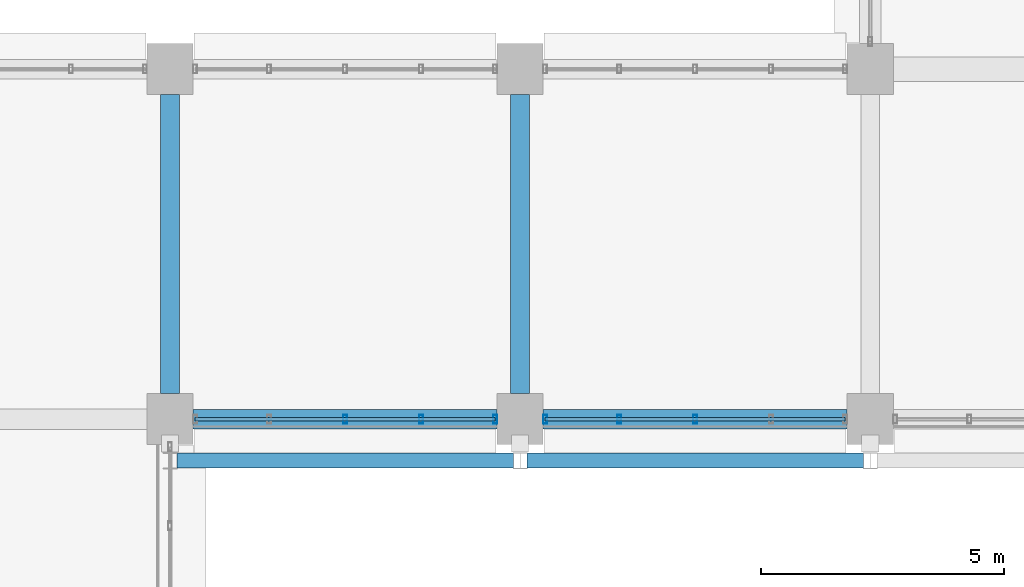
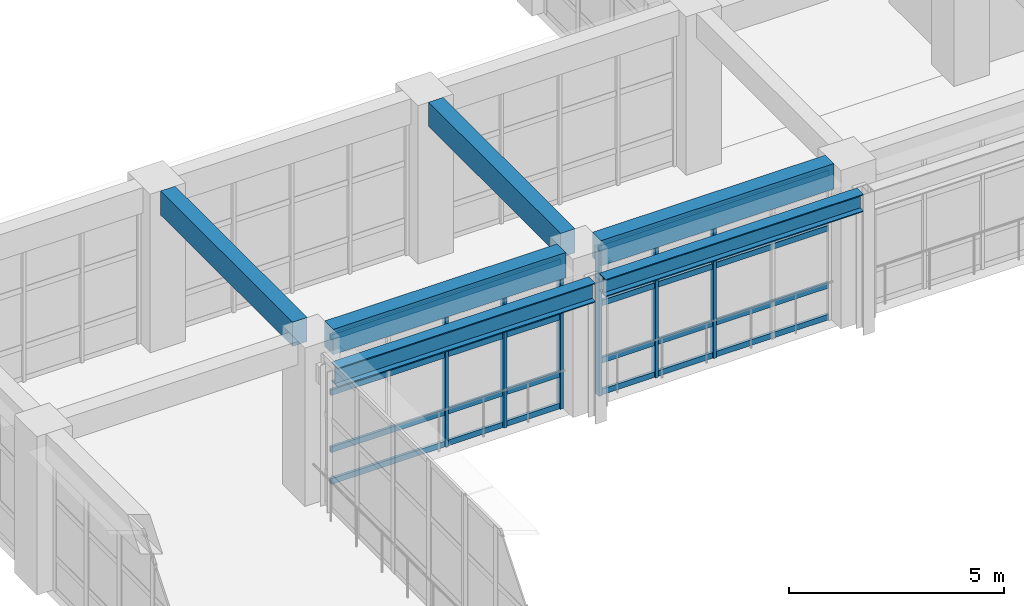
# One storey, part 45 of 171: 14 members, 6 beams, 2 elements without a shape of their own.
"""IFC4 building model written with IfcOpenShell, lengths in metres."""

from ifc_helpers import new_model, si_unit, direction, frame, origin, origin_2d, place, context, subcontext, project, spatial, rectangle, hollow_rectangle, i_section, extrude, material, material_profile, profile_set, type_object, element, aggregate, save


model = new_model("IFC4")

# Units and contexts
model_context = context("Model", 3, precision=1e-05, world=origin(), true_north=direction((0.0, 1.0)))
body_context = subcontext(model_context, "Body", "Model", "MODEL_VIEW")
ifc_project = project(units=[si_unit("LENGTHUNIT", "METRE"), si_unit("AREAUNIT", "SQUARE_METRE"), si_unit("VOLUMEUNIT", "CUBIC_METRE"), si_unit("PLANEANGLEUNIT", "RADIAN"), si_unit("MASSUNIT", "GRAM", prefix="KILO")], contexts=[model_context])

# Site, building, storey
site_placement = place(None, origin())
site = spatial("IfcSite", under=ifc_project, at=site_placement, CompositionType="ELEMENT")
building_placement = place(site_placement, origin())
building = spatial("IfcBuilding", under=site, at=building_placement, Name="Thalmaran Polytechnic", CompositionType="ELEMENT")
storey_placement = place(building_placement, frame((0.0, 0.0, 5.39990234375)))
storey = spatial("IfcBuildingStorey", under=building, at=storey_placement, Name="L01", CompositionType="ELEMENT", Elevation=5.39990234375)

# Beams
ifc_material_1 = material(Name="Steel S355", Category="steel")
ifc_material_profile_1 = material_profile(ifc_material_1, i_section(OverallWidth=0.300048828125, OverallDepth=0.550048828125, WebThickness=0.014892578125, FlangeThickness=0.029052734375, at=origin_2d()), Name="HEB 550")
ifc_profile_set_1 = profile_set([ifc_material_profile_1], Name="Steel S355")
beam_type_1 = type_object("IfcBeamType", Name="BM-CRN1", PredefinedType="BEAM", material=ifc_profile_set_1)
beam_1_placement = place(storey_placement, frame((115.340087890625, 49.550048828125, 3.72509765625), z_axis=(1.0, 0.0, 0.0), x_axis=(0.0, 1.0, 0.0)))
element("IfcBeam", 1, at=beam_1_placement, inside=storey, type_object=beam_type_1, Name="Workshop Crane Runway Beam Y7-16", PredefinedType="BEAM", context=body_context, shape_type="SweptSolid", body=[
    extrude(i_section(OverallWidth=0.300048828125, OverallDepth=0.550048828125, WebThickness=0.014892578125, FlangeThickness=0.029052734375, at=origin_2d()), origin(), (0.0, 0.0, 1.0), 6.919921875),
])
ifc_material_profile_2 = material_profile(ifc_material_1, i_section(OverallWidth=0.300048828125, OverallDepth=0.5, WebThickness=0.014404296875, FlangeThickness=0.028076171875, at=origin_2d()), Name="HEB 500")
ifc_profile_set_2 = profile_set([ifc_material_profile_2], Name="Steel S355")
beam_type_2 = type_object("IfcBeamType", Name="BM-CRN2", PredefinedType="BEAM", material=ifc_profile_set_2)
beam_2_placement = place(storey_placement, frame((122.5400390625, 49.550048828125, 3.75), z_axis=(1.0, 0.0, 0.0), x_axis=(0.0, 1.0, 0.0)))
element("IfcBeam", 2, at=beam_2_placement, inside=storey, type_object=beam_type_2, Name="Workshop Crane Runway Beam Y7-17", PredefinedType="BEAM", context=body_context, shape_type="SweptSolid", body=[
    extrude(i_section(OverallWidth=0.300048828125, OverallDepth=0.5, WebThickness=0.014404296875, FlangeThickness=0.028076171875, at=origin_2d()), origin(), (0.0, 0.0, 1.0), 6.919921875),
])
ifc_material_2 = material(Name="Concrete C40/50", Category="concrete")
ifc_material_profile_3 = material_profile(ifc_material_2, rectangle(XDim=0.389892578125, YDim=0.68505859375, at=origin_2d()), Name="RC 390x685")
ifc_profile_set_3 = profile_set([ifc_material_profile_3], Name="Concrete C40/50")
beam_type_3 = type_object("IfcBeamType", Name="BM-RC08", PredefinedType="BEAM", material=ifc_profile_set_3)
for number, where, z_axis, x_axis, name in (
    (3, (115.199951171875, 50.925048828125, 4.15771484375), (0.0, 1.0, 0.0), (-1.0, 0.0, 0.0), "Grid Beam B08 L01 Y(16,7)"),
    (4, (122.39990234375, 50.925048828125, 4.15771484375), (0.0, 1.0, 0.0), (-1.0, 0.0, 0.0), "Grid Beam B08 L01 Y(17,7)"),
):
    element("IfcBeam", number, at=place(storey_placement, frame(where, z_axis=z_axis, x_axis=x_axis)), inside=storey, type_object=beam_type_3, Name=name, PredefinedType="BEAM", context=body_context, shape_type="SweptSolid", body=[
        extrude(rectangle(XDim=0.389892578125, YDim=0.68505859375, at=origin_2d()), origin(), (0.0, 0.0, 1.0), 6.14990234375),
    ])
ifc_material_profile_4 = material_profile(ifc_material_2, rectangle(XDim=0.39990234375, YDim=0.719970703125, at=origin_2d()), Name="RC 400x720")
ifc_profile_set_4 = profile_set([ifc_material_profile_4], Name="Concrete C40/50")
beam_type_4 = type_object("IfcBeamType", Name="BM-SP01", PredefinedType="SPANDREL", material=ifc_profile_set_4)
for number, where, z_axis, x_axis, name in (
    (5, (115.675048828125, 50.39990234375, 4.14013671875), (1.0, 0.0, 0.0), (0.0, 1.0, 0.0), "Grid Beam SP01 L01 X(16,7)"),
    (6, (122.875, 50.39990234375, 4.14013671875), (1.0, 0.0, 0.0), (0.0, 1.0, 0.0), "Grid Beam SP01 L01 X(17,7)"),
):
    element("IfcBeam", number, at=place(storey_placement, frame(where, z_axis=z_axis, x_axis=x_axis)), inside=storey, type_object=beam_type_4, Name=name, PredefinedType="SPANDREL", context=body_context, shape_type="SweptSolid", body=[
        extrude(rectangle(XDim=0.39990234375, YDim=0.719970703125, at=origin_2d()), origin(), (0.0, 0.0, 1.0), 6.25),
    ])

# Curtain wall, members
ifc_material_3 = material(Name="Aluminium 6063-T6", Category="aluminium")
curtain_wall_type = type_object("IfcCurtainWallType", Name="CW-UC02", PredefinedType="USERDEFINED", material=ifc_material_3)
curtain_wall_1_placement = place(storey_placement, origin())
curtain_wall_1 = element("IfcCurtainWall", 7, at=curtain_wall_1_placement, inside=storey, type_object=curtain_wall_type, Name="Curtain Wall CW-L01-103", ObjectType="UNITISED CURTAIN WALL", PredefinedType="USERDEFINED")
ifc_material_profile_5 = material_profile(ifc_material_3, hollow_rectangle(XDim=0.080078125, YDim=0.179931640625, WallThickness=0.0048828125, at=origin_2d()), Name="RHS 180x80x5.0")
ifc_profile_set_5 = profile_set([ifc_material_profile_5], Name="Aluminium 6063-T6")
member_type_1 = type_object("IfcMemberType", Name="CW-MUL1", PredefinedType="MULLION", material=ifc_profile_set_5)
member_1_placement = place(storey_placement, frame((126.0, 50.39990234375, 0.0), z_axis=(0.0, 0.0, 1.0), x_axis=(1.0, 0.0, 0.0)))
member_1 = element("IfcMember", 8, at=member_1_placement, type_object=member_type_1, Name="CW-L01-103 Mullion 3", PredefinedType="MULLION", context=body_context, shape_type="SweptSolid", body=[
    extrude(hollow_rectangle(XDim=0.080078125, YDim=0.179931640625, WallThickness=0.0048828125, at=origin_2d()), origin(), (0.0, 0.0, 1.0), 4.210205078125),
])
member_2_placement = place(storey_placement, frame((124.4375, 50.39990234375, 0.0), z_axis=(0.0, 0.0, 1.0), x_axis=(1.0, 0.0, 0.0)))
member_2 = element("IfcMember", 9, at=member_2_placement, type_object=member_type_1, Name="CW-L01-103 Mullion 4", PredefinedType="MULLION", context=body_context, shape_type="SweptSolid", body=[
    extrude(hollow_rectangle(XDim=0.080078125, YDim=0.179931640625, WallThickness=0.0048828125, at=origin_2d()), origin(), (0.0, 0.0, 1.0), 4.210205078125),
])
member_3_placement = place(storey_placement, frame((122.9150390625, 50.39990234375, 0.0), z_axis=(0.0, 0.0, 1.0), x_axis=(1.0, 0.0, 0.0)))
member_3 = element("IfcMember", 10, at=member_3_placement, type_object=member_type_1, Name="CW-L01-103 Mullion 5", PredefinedType="MULLION", context=body_context, shape_type="SweptSolid", body=[
    extrude(hollow_rectangle(XDim=0.080078125, YDim=0.179931640625, WallThickness=0.0048828125, at=origin_2d()), origin(), (0.0, 0.0, 1.0), 4.210205078125),
])

curtain_wall_2_placement = place(storey_placement, origin())
curtain_wall_2 = element("IfcCurtainWall", 11, at=curtain_wall_2_placement, inside=storey, type_object=curtain_wall_type, Name="Curtain Wall CW-L01-104", ObjectType="UNITISED CURTAIN WALL", PredefinedType="USERDEFINED")
member_4_placement = place(storey_placement, frame((121.885009765625, 50.39990234375, 0.0), z_axis=(0.0, 0.0, 1.0), x_axis=(1.0, 0.0, 0.0)))
member_4 = element("IfcMember", 12, at=member_4_placement, type_object=member_type_1, Name="CW-L01-104 Mullion 1", PredefinedType="MULLION", context=body_context, shape_type="SweptSolid", body=[
    extrude(hollow_rectangle(XDim=0.080078125, YDim=0.179931640625, WallThickness=0.0048828125, at=origin_2d()), origin(), (0.0, 0.0, 1.0), 4.210205078125),
])
member_5_placement = place(storey_placement, frame((120.362548828125, 50.39990234375, 0.0), z_axis=(0.0, 0.0, 1.0), x_axis=(1.0, 0.0, 0.0)))
member_5 = element("IfcMember", 13, at=member_5_placement, type_object=member_type_1, Name="CW-L01-104 Mullion 2", PredefinedType="MULLION", context=body_context, shape_type="SweptSolid", body=[
    extrude(hollow_rectangle(XDim=0.080078125, YDim=0.179931640625, WallThickness=0.0048828125, at=origin_2d()), origin(), (0.0, 0.0, 1.0), 4.210205078125),
])
member_6_placement = place(storey_placement, frame((118.800048828125, 50.39990234375, 0.0), z_axis=(0.0, 0.0, 1.0), x_axis=(1.0, 0.0, 0.0)))
member_6 = element("IfcMember", 14, at=member_6_placement, type_object=member_type_1, Name="CW-L01-104 Mullion 3", PredefinedType="MULLION", context=body_context, shape_type="SweptSolid", body=[
    extrude(hollow_rectangle(XDim=0.080078125, YDim=0.179931640625, WallThickness=0.0048828125, at=origin_2d()), origin(), (0.0, 0.0, 1.0), 4.210205078125),
])

# Member
ifc_material_profile_6 = material_profile(ifc_material_3, hollow_rectangle(XDim=0.070068359375, YDim=0.159912109375, WallThickness=0.00390625, at=origin_2d()), Name="AL 160x70x4.0")
ifc_profile_set_6 = profile_set([ifc_material_profile_6], Name="Aluminium 6063-T6")
member_type_2 = type_object("IfcMemberType", Name="CW-TRN1", PredefinedType="USERDEFINED", material=ifc_profile_set_6)
member_7_placement = place(storey_placement, frame((129.0849609375, 50.39990234375, 0.06005859375), z_axis=(-1.0, 0.0, 0.0), x_axis=(0.0, -1.0, 0.0)))
member_7 = element("IfcMember", 15, at=member_7_placement, type_object=member_type_2, Name="CW-L01-103 Transom 1", ObjectType="TRANSOM", PredefinedType="USERDEFINED", context=body_context, shape_type="SweptSolid", body=[
    extrude(hollow_rectangle(XDim=0.070068359375, YDim=0.159912109375, WallThickness=0.00390625, at=origin_2d()), origin(), (0.0, 0.0, 1.0), 6.169921875),
])

member_8_placement = place(storey_placement, frame((129.0849609375, 50.39990234375, 0.960205078125), z_axis=(-1.0, 0.0, 0.0), x_axis=(0.0, -1.0, 0.0)))
member_8 = element("IfcMember", 16, at=member_8_placement, type_object=member_type_2, Name="CW-L01-103 Transom 2", ObjectType="TRANSOM", PredefinedType="USERDEFINED", context=body_context, shape_type="SweptSolid", body=[
    extrude(hollow_rectangle(XDim=0.070068359375, YDim=0.159912109375, WallThickness=0.00390625, at=origin_2d()), origin(), (0.0, 0.0, 1.0), 6.169921875),
])

member_9_placement = place(storey_placement, frame((129.0849609375, 50.39990234375, 2.585205078125), z_axis=(-1.0, 0.0, 0.0), x_axis=(0.0, -1.0, 0.0)))
member_9 = element("IfcMember", 17, at=member_9_placement, type_object=member_type_2, Name="CW-L01-103 Transom 3", ObjectType="TRANSOM", PredefinedType="USERDEFINED", context=body_context, shape_type="SweptSolid", body=[
    extrude(hollow_rectangle(XDim=0.070068359375, YDim=0.159912109375, WallThickness=0.00390625, at=origin_2d()), origin(), (0.0, 0.0, 1.0), 6.169921875),
])

member_10_placement = place(storey_placement, frame((129.0849609375, 50.39990234375, 4.150146484375), z_axis=(-1.0, 0.0, 0.0), x_axis=(0.0, -1.0, 0.0)))
member_10 = element("IfcMember", 18, at=member_10_placement, type_object=member_type_2, Name="CW-L01-103 Transom 4", ObjectType="TRANSOM", PredefinedType="USERDEFINED", context=body_context, shape_type="SweptSolid", body=[
    extrude(hollow_rectangle(XDim=0.070068359375, YDim=0.159912109375, WallThickness=0.00390625, at=origin_2d()), origin(), (0.0, 0.0, 1.0), 6.169921875),
])

aggregate(curtain_wall_1, [member_1, member_2, member_3, member_7, member_8, member_9, member_10])

member_11_placement = place(storey_placement, frame((121.885009765625, 50.39990234375, 0.06005859375), z_axis=(-1.0, 0.0, 0.0), x_axis=(0.0, -1.0, 0.0)))
member_11 = element("IfcMember", 19, at=member_11_placement, type_object=member_type_2, Name="CW-L01-104 Transom 1", ObjectType="TRANSOM", PredefinedType="USERDEFINED", context=body_context, shape_type="SweptSolid", body=[
    extrude(hollow_rectangle(XDim=0.070068359375, YDim=0.159912109375, WallThickness=0.00390625, at=origin_2d()), origin(), (0.0, 0.0, 1.0), 6.169921875),
])

member_12_placement = place(storey_placement, frame((121.885009765625, 50.39990234375, 0.960205078125), z_axis=(-1.0, 0.0, 0.0), x_axis=(0.0, -1.0, 0.0)))
member_12 = element("IfcMember", 20, at=member_12_placement, type_object=member_type_2, Name="CW-L01-104 Transom 2", ObjectType="TRANSOM", PredefinedType="USERDEFINED", context=body_context, shape_type="SweptSolid", body=[
    extrude(hollow_rectangle(XDim=0.070068359375, YDim=0.159912109375, WallThickness=0.00390625, at=origin_2d()), origin(), (0.0, 0.0, 1.0), 6.169921875),
])

member_13_placement = place(storey_placement, frame((121.885009765625, 50.39990234375, 2.585205078125), z_axis=(-1.0, 0.0, 0.0), x_axis=(0.0, -1.0, 0.0)))
member_13 = element("IfcMember", 21, at=member_13_placement, type_object=member_type_2, Name="CW-L01-104 Transom 3", ObjectType="TRANSOM", PredefinedType="USERDEFINED", context=body_context, shape_type="SweptSolid", body=[
    extrude(hollow_rectangle(XDim=0.070068359375, YDim=0.159912109375, WallThickness=0.00390625, at=origin_2d()), origin(), (0.0, 0.0, 1.0), 6.169921875),
])

member_14_placement = place(storey_placement, frame((121.885009765625, 50.39990234375, 4.150146484375), z_axis=(-1.0, 0.0, 0.0), x_axis=(0.0, -1.0, 0.0)))
member_14 = element("IfcMember", 22, at=member_14_placement, type_object=member_type_2, Name="CW-L01-104 Transom 4", ObjectType="TRANSOM", PredefinedType="USERDEFINED", context=body_context, shape_type="SweptSolid", body=[
    extrude(hollow_rectangle(XDim=0.070068359375, YDim=0.159912109375, WallThickness=0.00390625, at=origin_2d()), origin(), (0.0, 0.0, 1.0), 6.169921875),
])

aggregate(curtain_wall_2, [member_4, member_5, member_6, member_11, member_12, member_13, member_14])

save(model, "model.ifc")
